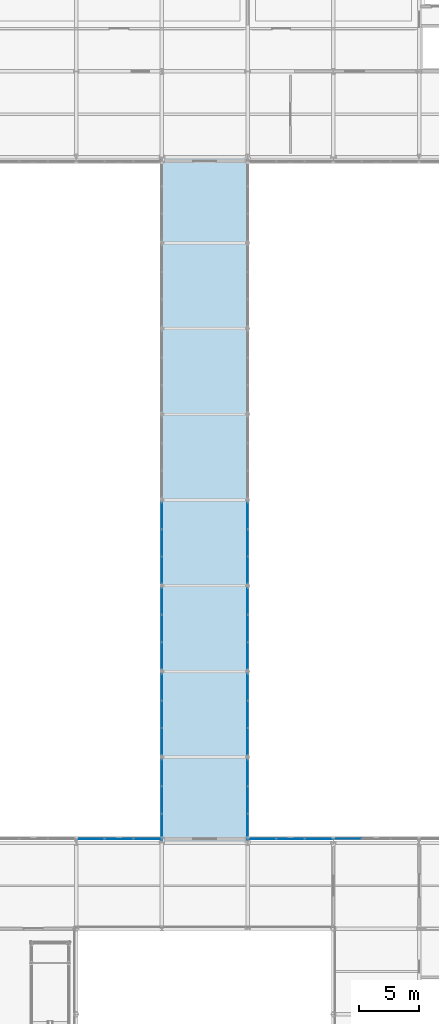
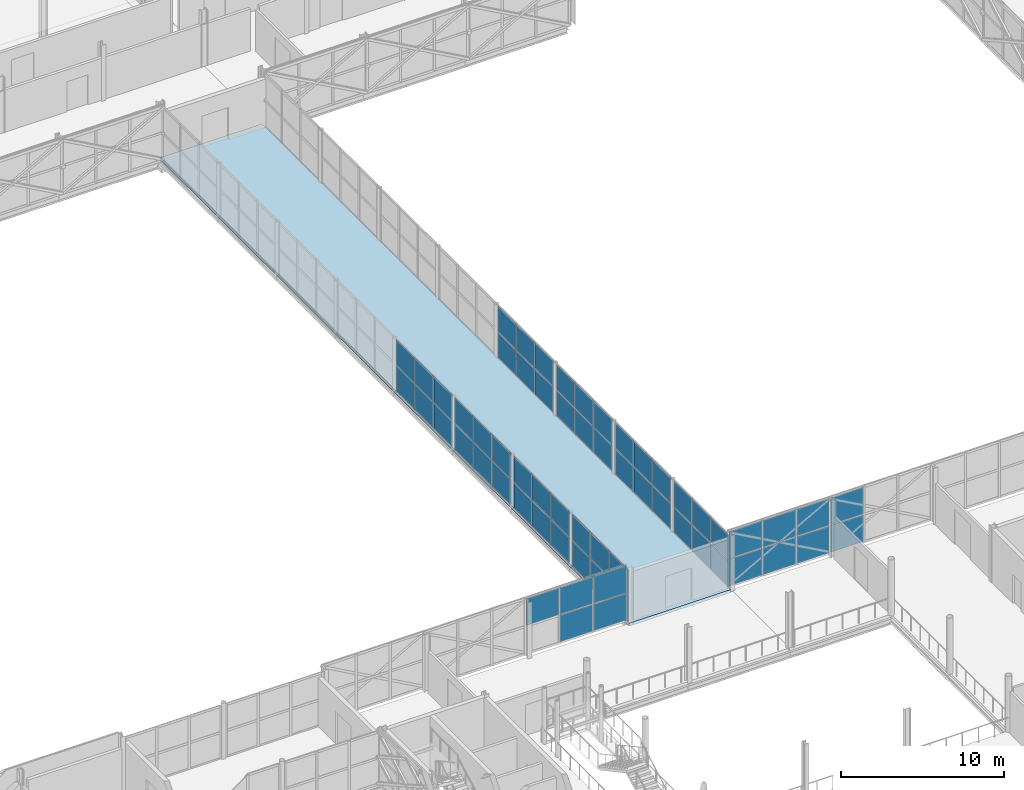
# One storey, part 90 of 146: 61 plates, 1 slab, 11 elements without a shape of their own.
"""IFC4 building model written with IfcOpenShell, lengths in metres."""

from ifc_helpers import new_model, si_unit, direction, frame, origin, origin_2d, place, context, subcontext, project, spatial, polyline, rectangle, outline, extrude, material, layer, layer_set, type_object, element, aggregate, save


model = new_model("IFC4")

# Units and contexts
model_context = context("Model", 3, precision=1e-05, world=origin(), true_north=direction((0.0, 1.0)))
body_context = subcontext(model_context, "Body", "Model", "MODEL_VIEW")
ifc_project = project(units=[si_unit("LENGTHUNIT", "METRE"), si_unit("AREAUNIT", "SQUARE_METRE"), si_unit("VOLUMEUNIT", "CUBIC_METRE"), si_unit("PLANEANGLEUNIT", "RADIAN"), si_unit("MASSUNIT", "GRAM", prefix="KILO")], contexts=[model_context])

# Site, building, storey
site_placement = place(None, origin())
site = spatial("IfcSite", under=ifc_project, at=site_placement, CompositionType="ELEMENT")
building_placement = place(site_placement, origin())
building = spatial("IfcBuilding", under=site, at=building_placement, Name="Zlatovets Crest Museum", CompositionType="ELEMENT")
storey_placement = place(building_placement, frame((0.0, 0.0, 4.5)))
storey = spatial("IfcBuildingStorey", under=building, at=storey_placement, Name="L01", CompositionType="ELEMENT", Elevation=4.5)

# Curtain wall, plates
ifc_material_1 = material(Name="Bronze-anodised aluminium and low-E triple glass", Category="aluminium")
curtain_wall_type_1 = type_object("IfcCurtainWallType", Name="CW_CW-BR5-L01-S69", PredefinedType="NOTDEFINED", material=ifc_material_1)
curtain_wall_1_placement = place(storey_placement, origin())
curtain_wall_1 = element("IfcCurtainWall", 1, at=curtain_wall_1_placement, inside=storey, type_object=curtain_wall_type_1, Name="Central Sculpture Court Cloister and Skywalk L01 Glazed Bridge Curtain Wall", PredefinedType="NOTDEFINED")
ifc_material_2 = material(Name="Solar-control low-E laminated triple glass", Category="glass")
ifc_layer_1 = layer(ifc_material_2, 0.030029296875)
ifc_layer_set_1 = layer_set([ifc_layer_1], Name="Solar-control low-E laminated triple glass")
plate_type_1 = type_object("IfcPlateType", Name="CWPanel_CW-BR5-L01-S69", PredefinedType="CURTAIN_PANEL", material=ifc_layer_set_1)
plate_1_placement = place(storey_placement, frame((79.199951171875, 30.114990234375, 0.06005859375), z_axis=(0.0, 0.0, 1.0), x_axis=(0.0, 1.0, 0.0)))
plate_1 = element("IfcPlate", 2, at=plate_1_placement, type_object=plate_type_1, Name="CW-BR5-L01-S69 panel 1.1", PredefinedType="CURTAIN_PANEL", context=body_context, shape_type="SweptSolid", body=[
    extrude(rectangle(XDim=2.2099609375, YDim=0.030029296875, at=origin_2d()), origin(), (0.0, 0.0, 1.0), 1.89990234375),
])
plate_2_placement = place(storey_placement, frame((79.199951171875, 30.114990234375, 2.02001953125), z_axis=(0.0, 0.0, 1.0), x_axis=(0.0, 1.0, 0.0)))
plate_2 = element("IfcPlate", 3, at=plate_2_placement, type_object=plate_type_1, Name="CW-BR5-L01-S69 panel 1.2", PredefinedType="CURTAIN_PANEL", context=body_context, shape_type="SweptSolid", body=[
    extrude(rectangle(XDim=2.2099609375, YDim=0.030029296875, at=origin_2d()), origin(), (0.0, 0.0, 1.0), 1.89990234375),
])
plate_3_placement = place(storey_placement, frame((79.199951171875, 32.39990234375, 0.06005859375), z_axis=(0.0, 0.0, 1.0), x_axis=(0.0, 1.0, 0.0)))
plate_3 = element("IfcPlate", 4, at=plate_3_placement, type_object=plate_type_1, Name="CW-BR5-L01-S69 panel 2.1", PredefinedType="CURTAIN_PANEL", context=body_context, shape_type="SweptSolid", body=[
    extrude(rectangle(XDim=2.239990234375, YDim=0.030029296875, at=origin_2d()), origin(), (0.0, 0.0, 1.0), 1.89990234375),
])
plate_4_placement = place(storey_placement, frame((79.199951171875, 32.39990234375, 2.02001953125), z_axis=(0.0, 0.0, 1.0), x_axis=(0.0, 1.0, 0.0)))
plate_4 = element("IfcPlate", 5, at=plate_4_placement, type_object=plate_type_1, Name="CW-BR5-L01-S69 panel 2.2", PredefinedType="CURTAIN_PANEL", context=body_context, shape_type="SweptSolid", body=[
    extrude(rectangle(XDim=2.239990234375, YDim=0.030029296875, at=origin_2d()), origin(), (0.0, 0.0, 1.0), 1.89990234375),
])
plate_5_placement = place(storey_placement, frame((79.199951171875, 34.68505859375, 0.06005859375), z_axis=(0.0, 0.0, 1.0), x_axis=(0.0, 1.0, 0.0)))
plate_5 = element("IfcPlate", 6, at=plate_5_placement, type_object=plate_type_1, Name="CW-BR5-L01-S69 panel 3.1", PredefinedType="CURTAIN_PANEL", context=body_context, shape_type="SweptSolid", body=[
    extrude(rectangle(XDim=2.2099609375, YDim=0.030029296875, at=origin_2d()), origin(), (0.0, 0.0, 1.0), 1.89990234375),
])
plate_6_placement = place(storey_placement, frame((79.199951171875, 34.68505859375, 2.02001953125), z_axis=(0.0, 0.0, 1.0), x_axis=(0.0, 1.0, 0.0)))
plate_6 = element("IfcPlate", 7, at=plate_6_placement, type_object=plate_type_1, Name="CW-BR5-L01-S69 panel 3.2", PredefinedType="CURTAIN_PANEL", context=body_context, shape_type="SweptSolid", body=[
    extrude(rectangle(XDim=2.2099609375, YDim=0.030029296875, at=origin_2d()), origin(), (0.0, 0.0, 1.0), 1.89990234375),
])
aggregate(curtain_wall_1, [plate_1, plate_2, plate_3, plate_4, plate_5, plate_6])

curtain_wall_2_placement = place(storey_placement, origin())
curtain_wall_2 = element("IfcCurtainWall", 8, at=curtain_wall_2_placement, inside=storey, type_object=curtain_wall_type_1, Name="Central Sculpture Court Cloister and Skywalk L01 Glazed Bridge Curtain Wall", PredefinedType="NOTDEFINED")
plate_7_placement = place(storey_placement, frame((79.199951171875, 37.31494140625, 0.06005859375), z_axis=(0.0, 0.0, 1.0), x_axis=(0.0, 1.0, 0.0)))
plate_7 = element("IfcPlate", 9, at=plate_7_placement, type_object=plate_type_1, Name="CW-BR5-L01-S69 panel 1.1", PredefinedType="CURTAIN_PANEL", context=body_context, shape_type="SweptSolid", body=[
    extrude(rectangle(XDim=2.2099609375, YDim=0.030029296875, at=origin_2d()), origin(), (0.0, 0.0, 1.0), 1.89990234375),
])
plate_8_placement = place(storey_placement, frame((79.199951171875, 37.31494140625, 2.02001953125), z_axis=(0.0, 0.0, 1.0), x_axis=(0.0, 1.0, 0.0)))
plate_8 = element("IfcPlate", 10, at=plate_8_placement, type_object=plate_type_1, Name="CW-BR5-L01-S69 panel 1.2", PredefinedType="CURTAIN_PANEL", context=body_context, shape_type="SweptSolid", body=[
    extrude(rectangle(XDim=2.2099609375, YDim=0.030029296875, at=origin_2d()), origin(), (0.0, 0.0, 1.0), 1.89990234375),
])
plate_9_placement = place(storey_placement, frame((79.199951171875, 39.60009765625, 0.06005859375), z_axis=(0.0, 0.0, 1.0), x_axis=(0.0, 1.0, 0.0)))
plate_9 = element("IfcPlate", 11, at=plate_9_placement, type_object=plate_type_1, Name="CW-BR5-L01-S69 panel 2.1", PredefinedType="CURTAIN_PANEL", context=body_context, shape_type="SweptSolid", body=[
    extrude(rectangle(XDim=2.239990234375, YDim=0.030029296875, at=origin_2d()), origin(), (0.0, 0.0, 1.0), 1.89990234375),
])
plate_10_placement = place(storey_placement, frame((79.199951171875, 39.60009765625, 2.02001953125), z_axis=(0.0, 0.0, 1.0), x_axis=(0.0, 1.0, 0.0)))
plate_10 = element("IfcPlate", 12, at=plate_10_placement, type_object=plate_type_1, Name="CW-BR5-L01-S69 panel 2.2", PredefinedType="CURTAIN_PANEL", context=body_context, shape_type="SweptSolid", body=[
    extrude(rectangle(XDim=2.239990234375, YDim=0.030029296875, at=origin_2d()), origin(), (0.0, 0.0, 1.0), 1.89990234375),
])
plate_11_placement = place(storey_placement, frame((79.199951171875, 41.885009765625, 0.06005859375), z_axis=(0.0, 0.0, 1.0), x_axis=(0.0, 1.0, 0.0)))
plate_11 = element("IfcPlate", 13, at=plate_11_placement, type_object=plate_type_1, Name="CW-BR5-L01-S69 panel 3.1", PredefinedType="CURTAIN_PANEL", context=body_context, shape_type="SweptSolid", body=[
    extrude(rectangle(XDim=2.2099609375, YDim=0.030029296875, at=origin_2d()), origin(), (0.0, 0.0, 1.0), 1.89990234375),
])
plate_12_placement = place(storey_placement, frame((79.199951171875, 41.885009765625, 2.02001953125), z_axis=(0.0, 0.0, 1.0), x_axis=(0.0, 1.0, 0.0)))
plate_12 = element("IfcPlate", 14, at=plate_12_placement, type_object=plate_type_1, Name="CW-BR5-L01-S69 panel 3.2", PredefinedType="CURTAIN_PANEL", context=body_context, shape_type="SweptSolid", body=[
    extrude(rectangle(XDim=2.2099609375, YDim=0.030029296875, at=origin_2d()), origin(), (0.0, 0.0, 1.0), 1.89990234375),
])
aggregate(curtain_wall_2, [plate_7, plate_8, plate_9, plate_10, plate_11, plate_12])

curtain_wall_3_placement = place(storey_placement, origin())
curtain_wall_3 = element("IfcCurtainWall", 15, at=curtain_wall_3_placement, inside=storey, type_object=curtain_wall_type_1, Name="Central Sculpture Court Cloister and Skywalk L01 Glazed Bridge Curtain Wall", PredefinedType="NOTDEFINED")
plate_13_placement = place(storey_placement, frame((79.199951171875, 44.514892578125, 0.06005859375), z_axis=(0.0, 0.0, 1.0), x_axis=(0.0, 1.0, 0.0)))
plate_13 = element("IfcPlate", 16, at=plate_13_placement, type_object=plate_type_1, Name="CW-BR5-L01-S69 panel 1.1", PredefinedType="CURTAIN_PANEL", context=body_context, shape_type="SweptSolid", body=[
    extrude(rectangle(XDim=2.2099609375, YDim=0.030029296875, at=origin_2d()), origin(), (0.0, 0.0, 1.0), 1.89990234375),
])
plate_14_placement = place(storey_placement, frame((79.199951171875, 44.514892578125, 2.02001953125), z_axis=(0.0, 0.0, 1.0), x_axis=(0.0, 1.0, 0.0)))
plate_14 = element("IfcPlate", 17, at=plate_14_placement, type_object=plate_type_1, Name="CW-BR5-L01-S69 panel 1.2", PredefinedType="CURTAIN_PANEL", context=body_context, shape_type="SweptSolid", body=[
    extrude(rectangle(XDim=2.2099609375, YDim=0.030029296875, at=origin_2d()), origin(), (0.0, 0.0, 1.0), 1.89990234375),
])
plate_15_placement = place(storey_placement, frame((79.199951171875, 46.800048828125, 0.06005859375), z_axis=(0.0, 0.0, 1.0), x_axis=(0.0, 1.0, 0.0)))
plate_15 = element("IfcPlate", 18, at=plate_15_placement, type_object=plate_type_1, Name="CW-BR5-L01-S69 panel 2.1", PredefinedType="CURTAIN_PANEL", context=body_context, shape_type="SweptSolid", body=[
    extrude(rectangle(XDim=2.239990234375, YDim=0.030029296875, at=origin_2d()), origin(), (0.0, 0.0, 1.0), 1.89990234375),
])
plate_16_placement = place(storey_placement, frame((79.199951171875, 46.800048828125, 2.02001953125), z_axis=(0.0, 0.0, 1.0), x_axis=(0.0, 1.0, 0.0)))
plate_16 = element("IfcPlate", 19, at=plate_16_placement, type_object=plate_type_1, Name="CW-BR5-L01-S69 panel 2.2", PredefinedType="CURTAIN_PANEL", context=body_context, shape_type="SweptSolid", body=[
    extrude(rectangle(XDim=2.239990234375, YDim=0.030029296875, at=origin_2d()), origin(), (0.0, 0.0, 1.0), 1.89990234375),
])
plate_17_placement = place(storey_placement, frame((79.199951171875, 49.0849609375, 0.06005859375), z_axis=(0.0, 0.0, 1.0), x_axis=(0.0, 1.0, 0.0)))
plate_17 = element("IfcPlate", 20, at=plate_17_placement, type_object=plate_type_1, Name="CW-BR5-L01-S69 panel 3.1", PredefinedType="CURTAIN_PANEL", context=body_context, shape_type="SweptSolid", body=[
    extrude(rectangle(XDim=2.2099609375, YDim=0.030029296875, at=origin_2d()), origin(), (0.0, 0.0, 1.0), 1.89990234375),
])
plate_18_placement = place(storey_placement, frame((79.199951171875, 49.0849609375, 2.02001953125), z_axis=(0.0, 0.0, 1.0), x_axis=(0.0, 1.0, 0.0)))
plate_18 = element("IfcPlate", 21, at=plate_18_placement, type_object=plate_type_1, Name="CW-BR5-L01-S69 panel 3.2", PredefinedType="CURTAIN_PANEL", context=body_context, shape_type="SweptSolid", body=[
    extrude(rectangle(XDim=2.2099609375, YDim=0.030029296875, at=origin_2d()), origin(), (0.0, 0.0, 1.0), 1.89990234375),
])
aggregate(curtain_wall_3, [plate_13, plate_14, plate_15, plate_16, plate_17, plate_18])

curtain_wall_4_placement = place(storey_placement, origin())
curtain_wall_4 = element("IfcCurtainWall", 22, at=curtain_wall_4_placement, inside=storey, type_object=curtain_wall_type_1, Name="Central Sculpture Court Cloister and Skywalk L01 Glazed Bridge Curtain Wall", PredefinedType="NOTDEFINED")
plate_19_placement = place(storey_placement, frame((79.199951171875, 51.715087890625, 0.06005859375), z_axis=(0.0, 0.0, 1.0), x_axis=(0.0, 1.0, 0.0)))
plate_19 = element("IfcPlate", 23, at=plate_19_placement, type_object=plate_type_1, Name="CW-BR5-L01-S69 panel 1.1", PredefinedType="CURTAIN_PANEL", context=body_context, shape_type="SweptSolid", body=[
    extrude(rectangle(XDim=2.2099609375, YDim=0.030029296875, at=origin_2d()), origin(), (0.0, 0.0, 1.0), 1.89990234375),
])
plate_20_placement = place(storey_placement, frame((79.199951171875, 51.715087890625, 2.02001953125), z_axis=(0.0, 0.0, 1.0), x_axis=(0.0, 1.0, 0.0)))
plate_20 = element("IfcPlate", 24, at=plate_20_placement, type_object=plate_type_1, Name="CW-BR5-L01-S69 panel 1.2", PredefinedType="CURTAIN_PANEL", context=body_context, shape_type="SweptSolid", body=[
    extrude(rectangle(XDim=2.2099609375, YDim=0.030029296875, at=origin_2d()), origin(), (0.0, 0.0, 1.0), 1.89990234375),
])
plate_21_placement = place(storey_placement, frame((79.199951171875, 54.0, 0.06005859375), z_axis=(0.0, 0.0, 1.0), x_axis=(0.0, 1.0, 0.0)))
plate_21 = element("IfcPlate", 25, at=plate_21_placement, type_object=plate_type_1, Name="CW-BR5-L01-S69 panel 2.1", PredefinedType="CURTAIN_PANEL", context=body_context, shape_type="SweptSolid", body=[
    extrude(rectangle(XDim=2.239990234375, YDim=0.030029296875, at=origin_2d()), origin(), (0.0, 0.0, 1.0), 1.89990234375),
])
plate_22_placement = place(storey_placement, frame((79.199951171875, 54.0, 2.02001953125), z_axis=(0.0, 0.0, 1.0), x_axis=(0.0, 1.0, 0.0)))
plate_22 = element("IfcPlate", 26, at=plate_22_placement, type_object=plate_type_1, Name="CW-BR5-L01-S69 panel 2.2", PredefinedType="CURTAIN_PANEL", context=body_context, shape_type="SweptSolid", body=[
    extrude(rectangle(XDim=2.239990234375, YDim=0.030029296875, at=origin_2d()), origin(), (0.0, 0.0, 1.0), 1.89990234375),
])
plate_23_placement = place(storey_placement, frame((79.199951171875, 56.284912109375, 0.06005859375), z_axis=(0.0, 0.0, 1.0), x_axis=(0.0, 1.0, 0.0)))
plate_23 = element("IfcPlate", 27, at=plate_23_placement, type_object=plate_type_1, Name="CW-BR5-L01-S69 panel 3.1", PredefinedType="CURTAIN_PANEL", context=body_context, shape_type="SweptSolid", body=[
    extrude(rectangle(XDim=2.2099609375, YDim=0.030029296875, at=origin_2d()), origin(), (0.0, 0.0, 1.0), 1.89990234375),
])
plate_24_placement = place(storey_placement, frame((79.199951171875, 56.284912109375, 2.02001953125), z_axis=(0.0, 0.0, 1.0), x_axis=(0.0, 1.0, 0.0)))
plate_24 = element("IfcPlate", 28, at=plate_24_placement, type_object=plate_type_1, Name="CW-BR5-L01-S69 panel 3.2", PredefinedType="CURTAIN_PANEL", context=body_context, shape_type="SweptSolid", body=[
    extrude(rectangle(XDim=2.2099609375, YDim=0.030029296875, at=origin_2d()), origin(), (0.0, 0.0, 1.0), 1.89990234375),
])
aggregate(curtain_wall_4, [plate_19, plate_20, plate_21, plate_22, plate_23, plate_24])

curtain_wall_5_placement = place(storey_placement, origin())
curtain_wall_5 = element("IfcCurtainWall", 29, at=curtain_wall_5_placement, inside=storey, type_object=curtain_wall_type_1, Name="Central Sculpture Court Cloister and Skywalk L01 Glazed Bridge Curtain Wall", PredefinedType="NOTDEFINED")
plate_25_placement = place(storey_placement, frame((86.39990234375, 30.114990234375, 0.06005859375), z_axis=(0.0, 0.0, 1.0), x_axis=(0.0, 1.0, 0.0)))
plate_25 = element("IfcPlate", 30, at=plate_25_placement, type_object=plate_type_1, Name="CW-BR5-L01-S69 panel 1.1", PredefinedType="CURTAIN_PANEL", context=body_context, shape_type="SweptSolid", body=[
    extrude(rectangle(XDim=2.2099609375, YDim=0.030029296875, at=origin_2d()), origin(), (0.0, 0.0, 1.0), 1.89990234375),
])
plate_26_placement = place(storey_placement, frame((86.39990234375, 30.114990234375, 2.02001953125), z_axis=(0.0, 0.0, 1.0), x_axis=(0.0, 1.0, 0.0)))
plate_26 = element("IfcPlate", 31, at=plate_26_placement, type_object=plate_type_1, Name="CW-BR5-L01-S69 panel 1.2", PredefinedType="CURTAIN_PANEL", context=body_context, shape_type="SweptSolid", body=[
    extrude(rectangle(XDim=2.2099609375, YDim=0.030029296875, at=origin_2d()), origin(), (0.0, 0.0, 1.0), 1.89990234375),
])
plate_27_placement = place(storey_placement, frame((86.39990234375, 32.39990234375, 0.06005859375), z_axis=(0.0, 0.0, 1.0), x_axis=(0.0, 1.0, 0.0)))
plate_27 = element("IfcPlate", 32, at=plate_27_placement, type_object=plate_type_1, Name="CW-BR5-L01-S69 panel 2.1", PredefinedType="CURTAIN_PANEL", context=body_context, shape_type="SweptSolid", body=[
    extrude(rectangle(XDim=2.239990234375, YDim=0.030029296875, at=origin_2d()), origin(), (0.0, 0.0, 1.0), 1.89990234375),
])
plate_28_placement = place(storey_placement, frame((86.39990234375, 32.39990234375, 2.02001953125), z_axis=(0.0, 0.0, 1.0), x_axis=(0.0, 1.0, 0.0)))
plate_28 = element("IfcPlate", 33, at=plate_28_placement, type_object=plate_type_1, Name="CW-BR5-L01-S69 panel 2.2", PredefinedType="CURTAIN_PANEL", context=body_context, shape_type="SweptSolid", body=[
    extrude(rectangle(XDim=2.239990234375, YDim=0.030029296875, at=origin_2d()), origin(), (0.0, 0.0, 1.0), 1.89990234375),
])
plate_29_placement = place(storey_placement, frame((86.39990234375, 34.68505859375, 0.06005859375), z_axis=(0.0, 0.0, 1.0), x_axis=(0.0, 1.0, 0.0)))
plate_29 = element("IfcPlate", 34, at=plate_29_placement, type_object=plate_type_1, Name="CW-BR5-L01-S69 panel 3.1", PredefinedType="CURTAIN_PANEL", context=body_context, shape_type="SweptSolid", body=[
    extrude(rectangle(XDim=2.2099609375, YDim=0.030029296875, at=origin_2d()), origin(), (0.0, 0.0, 1.0), 1.89990234375),
])
plate_30_placement = place(storey_placement, frame((86.39990234375, 34.68505859375, 2.02001953125), z_axis=(0.0, 0.0, 1.0), x_axis=(0.0, 1.0, 0.0)))
plate_30 = element("IfcPlate", 35, at=plate_30_placement, type_object=plate_type_1, Name="CW-BR5-L01-S69 panel 3.2", PredefinedType="CURTAIN_PANEL", context=body_context, shape_type="SweptSolid", body=[
    extrude(rectangle(XDim=2.2099609375, YDim=0.030029296875, at=origin_2d()), origin(), (0.0, 0.0, 1.0), 1.89990234375),
])
aggregate(curtain_wall_5, [plate_25, plate_26, plate_27, plate_28, plate_29, plate_30])

curtain_wall_6_placement = place(storey_placement, origin())
curtain_wall_6 = element("IfcCurtainWall", 36, at=curtain_wall_6_placement, inside=storey, type_object=curtain_wall_type_1, Name="Central Sculpture Court Cloister and Skywalk L01 Glazed Bridge Curtain Wall", PredefinedType="NOTDEFINED")
plate_31_placement = place(storey_placement, frame((86.39990234375, 37.31494140625, 0.06005859375), z_axis=(0.0, 0.0, 1.0), x_axis=(0.0, 1.0, 0.0)))
plate_31 = element("IfcPlate", 37, at=plate_31_placement, type_object=plate_type_1, Name="CW-BR5-L01-S69 panel 1.1", PredefinedType="CURTAIN_PANEL", context=body_context, shape_type="SweptSolid", body=[
    extrude(rectangle(XDim=2.2099609375, YDim=0.030029296875, at=origin_2d()), origin(), (0.0, 0.0, 1.0), 1.89990234375),
])
plate_32_placement = place(storey_placement, frame((86.39990234375, 37.31494140625, 2.02001953125), z_axis=(0.0, 0.0, 1.0), x_axis=(0.0, 1.0, 0.0)))
plate_32 = element("IfcPlate", 38, at=plate_32_placement, type_object=plate_type_1, Name="CW-BR5-L01-S69 panel 1.2", PredefinedType="CURTAIN_PANEL", context=body_context, shape_type="SweptSolid", body=[
    extrude(rectangle(XDim=2.2099609375, YDim=0.030029296875, at=origin_2d()), origin(), (0.0, 0.0, 1.0), 1.89990234375),
])
plate_33_placement = place(storey_placement, frame((86.39990234375, 39.60009765625, 0.06005859375), z_axis=(0.0, 0.0, 1.0), x_axis=(0.0, 1.0, 0.0)))
plate_33 = element("IfcPlate", 39, at=plate_33_placement, type_object=plate_type_1, Name="CW-BR5-L01-S69 panel 2.1", PredefinedType="CURTAIN_PANEL", context=body_context, shape_type="SweptSolid", body=[
    extrude(rectangle(XDim=2.239990234375, YDim=0.030029296875, at=origin_2d()), origin(), (0.0, 0.0, 1.0), 1.89990234375),
])
plate_34_placement = place(storey_placement, frame((86.39990234375, 39.60009765625, 2.02001953125), z_axis=(0.0, 0.0, 1.0), x_axis=(0.0, 1.0, 0.0)))
plate_34 = element("IfcPlate", 40, at=plate_34_placement, type_object=plate_type_1, Name="CW-BR5-L01-S69 panel 2.2", PredefinedType="CURTAIN_PANEL", context=body_context, shape_type="SweptSolid", body=[
    extrude(rectangle(XDim=2.239990234375, YDim=0.030029296875, at=origin_2d()), origin(), (0.0, 0.0, 1.0), 1.89990234375),
])
plate_35_placement = place(storey_placement, frame((86.39990234375, 41.885009765625, 0.06005859375), z_axis=(0.0, 0.0, 1.0), x_axis=(0.0, 1.0, 0.0)))
plate_35 = element("IfcPlate", 41, at=plate_35_placement, type_object=plate_type_1, Name="CW-BR5-L01-S69 panel 3.1", PredefinedType="CURTAIN_PANEL", context=body_context, shape_type="SweptSolid", body=[
    extrude(rectangle(XDim=2.2099609375, YDim=0.030029296875, at=origin_2d()), origin(), (0.0, 0.0, 1.0), 1.89990234375),
])
plate_36_placement = place(storey_placement, frame((86.39990234375, 41.885009765625, 2.02001953125), z_axis=(0.0, 0.0, 1.0), x_axis=(0.0, 1.0, 0.0)))
plate_36 = element("IfcPlate", 42, at=plate_36_placement, type_object=plate_type_1, Name="CW-BR5-L01-S69 panel 3.2", PredefinedType="CURTAIN_PANEL", context=body_context, shape_type="SweptSolid", body=[
    extrude(rectangle(XDim=2.2099609375, YDim=0.030029296875, at=origin_2d()), origin(), (0.0, 0.0, 1.0), 1.89990234375),
])
aggregate(curtain_wall_6, [plate_31, plate_32, plate_33, plate_34, plate_35, plate_36])

curtain_wall_7_placement = place(storey_placement, origin())
curtain_wall_7 = element("IfcCurtainWall", 43, at=curtain_wall_7_placement, inside=storey, type_object=curtain_wall_type_1, Name="Central Sculpture Court Cloister and Skywalk L01 Glazed Bridge Curtain Wall", PredefinedType="NOTDEFINED")
plate_37_placement = place(storey_placement, frame((86.39990234375, 44.514892578125, 0.06005859375), z_axis=(0.0, 0.0, 1.0), x_axis=(0.0, 1.0, 0.0)))
plate_37 = element("IfcPlate", 44, at=plate_37_placement, type_object=plate_type_1, Name="CW-BR5-L01-S69 panel 1.1", PredefinedType="CURTAIN_PANEL", context=body_context, shape_type="SweptSolid", body=[
    extrude(rectangle(XDim=2.2099609375, YDim=0.030029296875, at=origin_2d()), origin(), (0.0, 0.0, 1.0), 1.89990234375),
])
plate_38_placement = place(storey_placement, frame((86.39990234375, 44.514892578125, 2.02001953125), z_axis=(0.0, 0.0, 1.0), x_axis=(0.0, 1.0, 0.0)))
plate_38 = element("IfcPlate", 45, at=plate_38_placement, type_object=plate_type_1, Name="CW-BR5-L01-S69 panel 1.2", PredefinedType="CURTAIN_PANEL", context=body_context, shape_type="SweptSolid", body=[
    extrude(rectangle(XDim=2.2099609375, YDim=0.030029296875, at=origin_2d()), origin(), (0.0, 0.0, 1.0), 1.89990234375),
])
plate_39_placement = place(storey_placement, frame((86.39990234375, 46.800048828125, 0.06005859375), z_axis=(0.0, 0.0, 1.0), x_axis=(0.0, 1.0, 0.0)))
plate_39 = element("IfcPlate", 46, at=plate_39_placement, type_object=plate_type_1, Name="CW-BR5-L01-S69 panel 2.1", PredefinedType="CURTAIN_PANEL", context=body_context, shape_type="SweptSolid", body=[
    extrude(rectangle(XDim=2.239990234375, YDim=0.030029296875, at=origin_2d()), origin(), (0.0, 0.0, 1.0), 1.89990234375),
])
plate_40_placement = place(storey_placement, frame((86.39990234375, 46.800048828125, 2.02001953125), z_axis=(0.0, 0.0, 1.0), x_axis=(0.0, 1.0, 0.0)))
plate_40 = element("IfcPlate", 47, at=plate_40_placement, type_object=plate_type_1, Name="CW-BR5-L01-S69 panel 2.2", PredefinedType="CURTAIN_PANEL", context=body_context, shape_type="SweptSolid", body=[
    extrude(rectangle(XDim=2.239990234375, YDim=0.030029296875, at=origin_2d()), origin(), (0.0, 0.0, 1.0), 1.89990234375),
])
plate_41_placement = place(storey_placement, frame((86.39990234375, 49.0849609375, 0.06005859375), z_axis=(0.0, 0.0, 1.0), x_axis=(0.0, 1.0, 0.0)))
plate_41 = element("IfcPlate", 48, at=plate_41_placement, type_object=plate_type_1, Name="CW-BR5-L01-S69 panel 3.1", PredefinedType="CURTAIN_PANEL", context=body_context, shape_type="SweptSolid", body=[
    extrude(rectangle(XDim=2.2099609375, YDim=0.030029296875, at=origin_2d()), origin(), (0.0, 0.0, 1.0), 1.89990234375),
])
plate_42_placement = place(storey_placement, frame((86.39990234375, 49.0849609375, 2.02001953125), z_axis=(0.0, 0.0, 1.0), x_axis=(0.0, 1.0, 0.0)))
plate_42 = element("IfcPlate", 49, at=plate_42_placement, type_object=plate_type_1, Name="CW-BR5-L01-S69 panel 3.2", PredefinedType="CURTAIN_PANEL", context=body_context, shape_type="SweptSolid", body=[
    extrude(rectangle(XDim=2.2099609375, YDim=0.030029296875, at=origin_2d()), origin(), (0.0, 0.0, 1.0), 1.89990234375),
])
aggregate(curtain_wall_7, [plate_37, plate_38, plate_39, plate_40, plate_41, plate_42])

curtain_wall_8_placement = place(storey_placement, origin())
curtain_wall_8 = element("IfcCurtainWall", 50, at=curtain_wall_8_placement, inside=storey, type_object=curtain_wall_type_1, Name="Central Sculpture Court Cloister and Skywalk L01 Glazed Bridge Curtain Wall", PredefinedType="NOTDEFINED")
plate_43_placement = place(storey_placement, frame((86.39990234375, 51.715087890625, 0.06005859375), z_axis=(0.0, 0.0, 1.0), x_axis=(0.0, 1.0, 0.0)))
plate_43 = element("IfcPlate", 51, at=plate_43_placement, type_object=plate_type_1, Name="CW-BR5-L01-S69 panel 1.1", PredefinedType="CURTAIN_PANEL", context=body_context, shape_type="SweptSolid", body=[
    extrude(rectangle(XDim=2.2099609375, YDim=0.030029296875, at=origin_2d()), origin(), (0.0, 0.0, 1.0), 1.89990234375),
])
plate_44_placement = place(storey_placement, frame((86.39990234375, 51.715087890625, 2.02001953125), z_axis=(0.0, 0.0, 1.0), x_axis=(0.0, 1.0, 0.0)))
plate_44 = element("IfcPlate", 52, at=plate_44_placement, type_object=plate_type_1, Name="CW-BR5-L01-S69 panel 1.2", PredefinedType="CURTAIN_PANEL", context=body_context, shape_type="SweptSolid", body=[
    extrude(rectangle(XDim=2.2099609375, YDim=0.030029296875, at=origin_2d()), origin(), (0.0, 0.0, 1.0), 1.89990234375),
])
plate_45_placement = place(storey_placement, frame((86.39990234375, 54.0, 0.06005859375), z_axis=(0.0, 0.0, 1.0), x_axis=(0.0, 1.0, 0.0)))
plate_45 = element("IfcPlate", 53, at=plate_45_placement, type_object=plate_type_1, Name="CW-BR5-L01-S69 panel 2.1", PredefinedType="CURTAIN_PANEL", context=body_context, shape_type="SweptSolid", body=[
    extrude(rectangle(XDim=2.239990234375, YDim=0.030029296875, at=origin_2d()), origin(), (0.0, 0.0, 1.0), 1.89990234375),
])
plate_46_placement = place(storey_placement, frame((86.39990234375, 54.0, 2.02001953125), z_axis=(0.0, 0.0, 1.0), x_axis=(0.0, 1.0, 0.0)))
plate_46 = element("IfcPlate", 54, at=plate_46_placement, type_object=plate_type_1, Name="CW-BR5-L01-S69 panel 2.2", PredefinedType="CURTAIN_PANEL", context=body_context, shape_type="SweptSolid", body=[
    extrude(rectangle(XDim=2.239990234375, YDim=0.030029296875, at=origin_2d()), origin(), (0.0, 0.0, 1.0), 1.89990234375),
])
plate_47_placement = place(storey_placement, frame((86.39990234375, 56.284912109375, 0.06005859375), z_axis=(0.0, 0.0, 1.0), x_axis=(0.0, 1.0, 0.0)))
plate_47 = element("IfcPlate", 55, at=plate_47_placement, type_object=plate_type_1, Name="CW-BR5-L01-S69 panel 3.1", PredefinedType="CURTAIN_PANEL", context=body_context, shape_type="SweptSolid", body=[
    extrude(rectangle(XDim=2.2099609375, YDim=0.030029296875, at=origin_2d()), origin(), (0.0, 0.0, 1.0), 1.89990234375),
])
plate_48_placement = place(storey_placement, frame((86.39990234375, 56.284912109375, 2.02001953125), z_axis=(0.0, 0.0, 1.0), x_axis=(0.0, 1.0, 0.0)))
plate_48 = element("IfcPlate", 56, at=plate_48_placement, type_object=plate_type_1, Name="CW-BR5-L01-S69 panel 3.2", PredefinedType="CURTAIN_PANEL", context=body_context, shape_type="SweptSolid", body=[
    extrude(rectangle(XDim=2.2099609375, YDim=0.030029296875, at=origin_2d()), origin(), (0.0, 0.0, 1.0), 1.89990234375),
])
aggregate(curtain_wall_8, [plate_43, plate_44, plate_45, plate_46, plate_47, plate_48])

curtain_wall_type_2 = type_object("IfcCurtainWallType", Name="CW_CW-V2-L01-M0", PredefinedType="NOTDEFINED", material=ifc_material_1)
curtain_wall_9_placement = place(storey_placement, origin())
curtain_wall_9 = element("IfcCurtainWall", 57, at=curtain_wall_9_placement, inside=storey, type_object=curtain_wall_type_2, Name="V2 L01 Secession Foyer Clear Curtain Wall", PredefinedType="NOTDEFINED")
ifc_layer_2 = layer(ifc_material_2, 0.028076171875)
ifc_layer_set_2 = layer_set([ifc_layer_2], Name="Solar-control low-E laminated triple glass")
plate_type_2 = type_object("IfcPlateType", Name="CWPanel_CW-V2-L01-M0", PredefinedType="CURTAIN_PANEL", material=ifc_layer_set_2)
plate_49_placement = place(storey_placement, frame((94.81494140625, 29.139892578125, 0.06005859375), z_axis=(0.0, 0.0, 1.0), x_axis=(-1.0, 0.0, 0.0)))
plate_49 = element("IfcPlate", 58, at=plate_49_placement, type_object=plate_type_2, Name="CW-V2-L01-M0 panel 3.1", PredefinedType="CURTAIN_PANEL", context=body_context, shape_type="SweptSolid", body=[
    extrude(rectangle(XDim=2.31005859375, YDim=0.028076171875, at=origin_2d()), origin(), (0.0, 0.0, 1.0), 2.010009765625),
])
plate_50_placement = place(storey_placement, frame((94.81494140625, 29.139892578125, 2.1298828125), z_axis=(0.0, 0.0, 1.0), x_axis=(-1.0, 0.0, 0.0)))
plate_50 = element("IfcPlate", 59, at=plate_50_placement, type_object=plate_type_2, Name="CW-V2-L01-M0 panel 3.2", PredefinedType="CURTAIN_PANEL", context=body_context, shape_type="SweptSolid", body=[
    extrude(rectangle(XDim=2.31005859375, YDim=0.028076171875, at=origin_2d()), origin(), (0.0, 0.0, 1.0), 2.010009765625),
])
aggregate(curtain_wall_9, [plate_49, plate_50])

curtain_wall_type_3 = type_object("IfcCurtainWallType", Name="CW_CW-V2-L01-M1", PredefinedType="NOTDEFINED", material=ifc_material_1)
curtain_wall_10_placement = place(storey_placement, origin())
curtain_wall_10 = element("IfcCurtainWall", 60, at=curtain_wall_10_placement, inside=storey, type_object=curtain_wall_type_3, Name="V2 L01 Secession Foyer Clear Curtain Wall", PredefinedType="NOTDEFINED")
ifc_layer_3 = layer(ifc_material_2, 0.031982421875)
ifc_layer_set_3 = layer_set([ifc_layer_3], Name="Solar-control low-E laminated triple glass")
plate_type_3 = type_object("IfcPlateType", Name="CWPanel_CW-V2-L01-M1", PredefinedType="CURTAIN_PANEL", material=ifc_layer_set_3)
plate_51_placement = place(storey_placement, frame((92.385009765625, 29.139892578125, 0.06005859375), z_axis=(0.0, 0.0, 1.0), x_axis=(-1.0, 0.0, 0.0)))
plate_51 = element("IfcPlate", 61, at=plate_51_placement, type_object=plate_type_3, Name="CW-V2-L01-M1 panel 1.1", PredefinedType="CURTAIN_PANEL", context=body_context, shape_type="SweptSolid", body=[
    extrude(rectangle(XDim=2.31005859375, YDim=0.031982421875, at=origin_2d()), origin(), (0.0, 0.0, 1.0), 2.010009765625),
])
plate_52_placement = place(storey_placement, frame((92.385009765625, 29.139892578125, 2.1298828125), z_axis=(0.0, 0.0, 1.0), x_axis=(-1.0, 0.0, 0.0)))
plate_52 = element("IfcPlate", 62, at=plate_52_placement, type_object=plate_type_3, Name="CW-V2-L01-M1 panel 1.2", PredefinedType="CURTAIN_PANEL", context=body_context, shape_type="SweptSolid", body=[
    extrude(rectangle(XDim=2.31005859375, YDim=0.031982421875, at=origin_2d()), origin(), (0.0, 0.0, 1.0), 2.010009765625),
])
plate_53_placement = place(storey_placement, frame((90.0, 29.139892578125, 0.06005859375), z_axis=(0.0, 0.0, 1.0), x_axis=(-1.0, 0.0, 0.0)))
plate_53 = element("IfcPlate", 63, at=plate_53_placement, type_object=plate_type_3, Name="CW-V2-L01-M1 panel 2.1", PredefinedType="CURTAIN_PANEL", context=body_context, shape_type="SweptSolid", body=[
    extrude(rectangle(XDim=2.340087890625, YDim=0.031982421875, at=origin_2d()), origin(), (0.0, 0.0, 1.0), 2.010009765625),
])
plate_54_placement = place(storey_placement, frame((90.0, 29.139892578125, 2.1298828125), z_axis=(0.0, 0.0, 1.0), x_axis=(-1.0, 0.0, 0.0)))
plate_54 = element("IfcPlate", 64, at=plate_54_placement, type_object=plate_type_3, Name="CW-V2-L01-M1 panel 2.2", PredefinedType="CURTAIN_PANEL", context=body_context, shape_type="SweptSolid", body=[
    extrude(rectangle(XDim=2.340087890625, YDim=0.031982421875, at=origin_2d()), origin(), (0.0, 0.0, 1.0), 2.010009765625),
])
plate_55_placement = place(storey_placement, frame((87.614990234375, 29.139892578125, 0.06005859375), z_axis=(0.0, 0.0, 1.0), x_axis=(-1.0, 0.0, 0.0)))
plate_55 = element("IfcPlate", 65, at=plate_55_placement, type_object=plate_type_3, Name="CW-V2-L01-M1 panel 3.1", PredefinedType="CURTAIN_PANEL", context=body_context, shape_type="SweptSolid", body=[
    extrude(rectangle(XDim=2.31005859375, YDim=0.031982421875, at=origin_2d()), origin(), (0.0, 0.0, 1.0), 2.010009765625),
])
plate_56_placement = place(storey_placement, frame((87.614990234375, 29.139892578125, 2.1298828125), z_axis=(0.0, 0.0, 1.0), x_axis=(-1.0, 0.0, 0.0)))
plate_56 = element("IfcPlate", 66, at=plate_56_placement, type_object=plate_type_3, Name="CW-V2-L01-M1 panel 3.2", PredefinedType="CURTAIN_PANEL", context=body_context, shape_type="SweptSolid", body=[
    extrude(rectangle(XDim=2.31005859375, YDim=0.031982421875, at=origin_2d()), origin(), (0.0, 0.0, 1.0), 2.010009765625),
])
aggregate(curtain_wall_10, [plate_51, plate_52, plate_53, plate_54, plate_55, plate_56])

curtain_wall_type_4 = type_object("IfcCurtainWallType", Name="CW_CW-V2-L01-M3", PredefinedType="NOTDEFINED", material=ifc_material_1)
curtain_wall_11_placement = place(storey_placement, origin())
curtain_wall_11 = element("IfcCurtainWall", 67, at=curtain_wall_11_placement, inside=storey, type_object=curtain_wall_type_4, Name="V2 L01 Secession Foyer Clear Curtain Wall", PredefinedType="NOTDEFINED")
ifc_layer_4 = layer(ifc_material_2, 0.0400390625)
ifc_layer_set_4 = layer_set([ifc_layer_4], Name="Solar-control low-E laminated triple glass")
plate_type_4 = type_object("IfcPlateType", Name="CWPanel_CW-V2-L01-M3", PredefinedType="CURTAIN_PANEL", material=ifc_layer_set_4)
plate_57_placement = place(storey_placement, frame((77.985107421875, 29.139892578125, 0.06005859375), z_axis=(0.0, 0.0, 1.0), x_axis=(-1.0, 0.0, 0.0)))
plate_57 = element("IfcPlate", 68, at=plate_57_placement, type_object=plate_type_4, Name="CW-V2-L01-M3 panel 1.1", PredefinedType="CURTAIN_PANEL", context=body_context, shape_type="SweptSolid", body=[
    extrude(rectangle(XDim=2.31005859375, YDim=0.0400390625, at=origin_2d()), origin(), (0.0, 0.0, 1.0), 2.010009765625),
])
plate_58_placement = place(storey_placement, frame((77.985107421875, 29.139892578125, 2.1298828125), z_axis=(0.0, 0.0, 1.0), x_axis=(-1.0, 0.0, 0.0)))
plate_58 = element("IfcPlate", 69, at=plate_58_placement, type_object=plate_type_4, Name="CW-V2-L01-M3 panel 1.2", PredefinedType="CURTAIN_PANEL", context=body_context, shape_type="SweptSolid", body=[
    extrude(rectangle(XDim=2.31005859375, YDim=0.0400390625, at=origin_2d()), origin(), (0.0, 0.0, 1.0), 2.010009765625),
])
plate_59_placement = place(storey_placement, frame((75.60009765625, 29.139892578125, 0.06005859375), z_axis=(0.0, 0.0, 1.0), x_axis=(-1.0, 0.0, 0.0)))
plate_59 = element("IfcPlate", 70, at=plate_59_placement, type_object=plate_type_4, Name="CW-V2-L01-M3 panel 2.1", PredefinedType="CURTAIN_PANEL", context=body_context, shape_type="SweptSolid", body=[
    extrude(rectangle(XDim=2.340087890625, YDim=0.0400390625, at=origin_2d()), origin(), (0.0, 0.0, 1.0), 2.010009765625),
])
plate_60_placement = place(storey_placement, frame((75.60009765625, 29.139892578125, 2.1298828125), z_axis=(0.0, 0.0, 1.0), x_axis=(-1.0, 0.0, 0.0)))
plate_60 = element("IfcPlate", 71, at=plate_60_placement, type_object=plate_type_4, Name="CW-V2-L01-M3 panel 2.2", PredefinedType="CURTAIN_PANEL", context=body_context, shape_type="SweptSolid", body=[
    extrude(rectangle(XDim=2.340087890625, YDim=0.0400390625, at=origin_2d()), origin(), (0.0, 0.0, 1.0), 2.010009765625),
])
plate_61_placement = place(storey_placement, frame((73.215087890625, 29.139892578125, 2.1298828125), z_axis=(0.0, 0.0, 1.0), x_axis=(-1.0, 0.0, 0.0)))
plate_61 = element("IfcPlate", 72, at=plate_61_placement, type_object=plate_type_4, Name="CW-V2-L01-M3 panel 3.2", PredefinedType="CURTAIN_PANEL", context=body_context, shape_type="SweptSolid", body=[
    extrude(rectangle(XDim=2.31005859375, YDim=0.0400390625, at=origin_2d()), origin(), (0.0, 0.0, 1.0), 2.010009765625),
])
aggregate(curtain_wall_11, [plate_57, plate_58, plate_59, plate_60, plate_61])

# Slab
ifc_material_3 = material(Name="Concrete C30/37", Category="concrete")
ifc_layer_5 = layer(ifc_material_3, 0.219970703125)
ifc_layer_set_5 = layer_set([ifc_layer_5], Name="Concrete C30/37")
slab_type = type_object("IfcSlabType", Name="Slab_FS-02", PredefinedType="FLOOR", material=ifc_layer_set_5)
slab_placement = place(storey_placement, frame((0.0, 0.0, -0.219970703125)))
element("IfcSlab", 73, at=slab_placement, inside=storey, type_object=slab_type, Name="Central Sculpture Court Cloister and Skywalk L01 Deck Slab", PredefinedType="FLOOR", context=body_context, shape_type="SweptSolid", body=[
    extrude(outline(polyline([(86.39990234375, 28.800048828125), (86.39990234375, 86.39990234375), (79.199951171875, 86.39990234375), (79.199951171875, 28.800048828125), (86.39990234375, 28.800048828125)])), origin(), (0.0, 0.0, 1.0), 0.219970703125),
])

save(model, "model.ifc")
